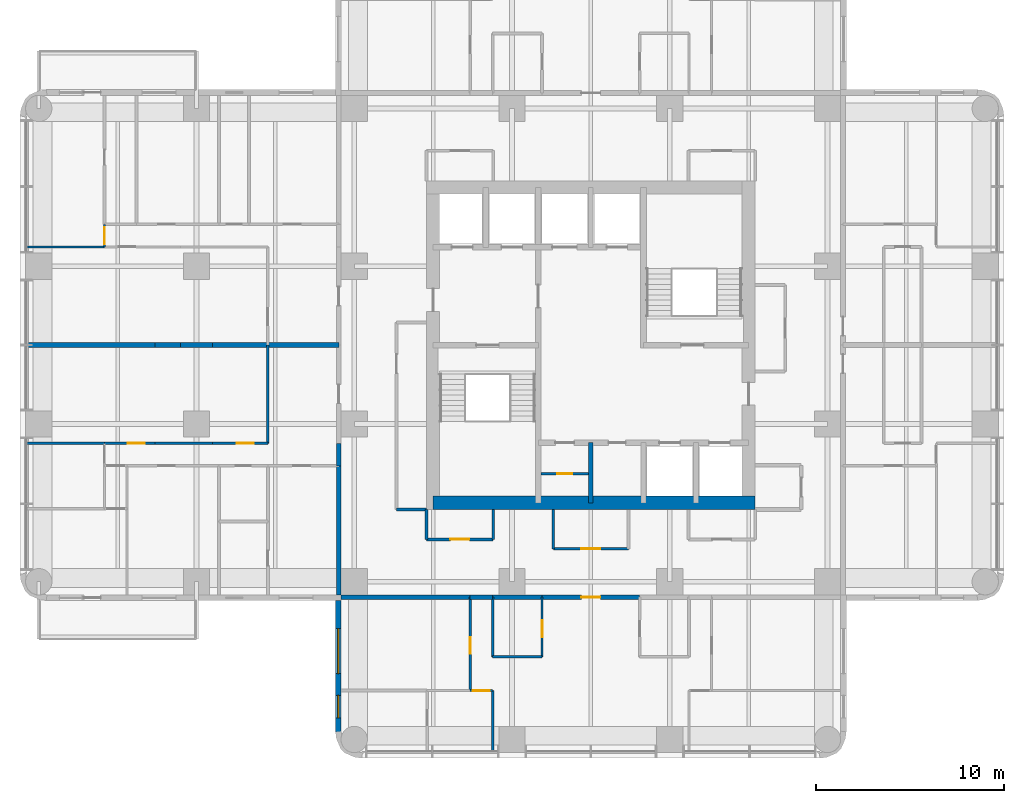
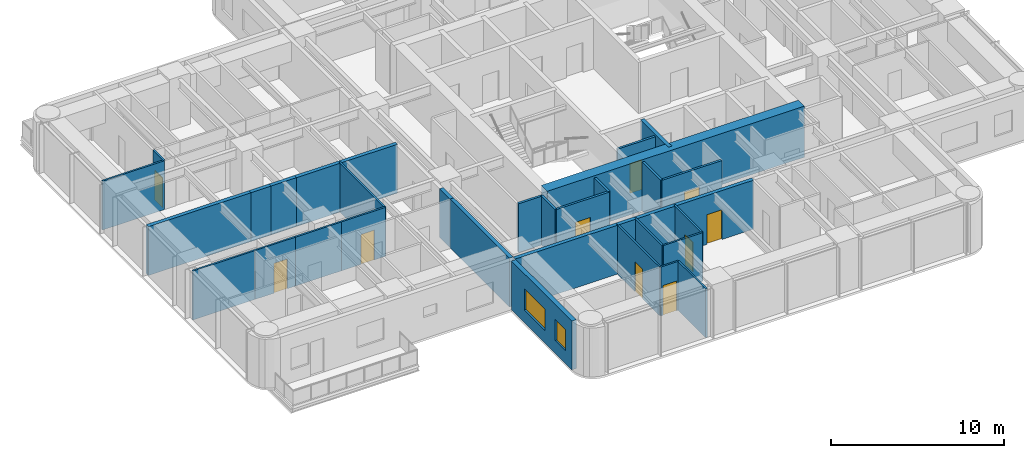
# One storey, part 5 of 11: 34 walls, 10 doors, 2 windows, 12 openings.
"""IFC4 building model written with IfcOpenShell, lengths in metres."""

from ifc_helpers import new_model, si_unit, direction, frame, frame_2d, origin, place, context, subcontext, project, spatial, rectangle, extrude, material, layer, layer_set, type_object, element, fill, save


model = new_model("IFC4")

# Units and contexts
model_context = context("Model", 3, precision=1e-05, world=origin(), true_north=direction((0.0, 1.0)))
body_context = subcontext(model_context, "Body", "Model", "MODEL_VIEW")
ifc_project = project(units=[si_unit("LENGTHUNIT", "METRE"), si_unit("AREAUNIT", "SQUARE_METRE"), si_unit("VOLUMEUNIT", "CUBIC_METRE"), si_unit("PLANEANGLEUNIT", "RADIAN"), si_unit("MASSUNIT", "GRAM", prefix="KILO")], contexts=[model_context])

# Site, building, storey
site_placement = place(None, origin())
site = spatial("IfcSite", under=ifc_project, at=site_placement, CompositionType="ELEMENT")
building_placement = place(site_placement, origin())
building = spatial("IfcBuilding", under=site, at=building_placement, Name="Torre Alcanfor", CompositionType="ELEMENT")
storey_placement = place(building_placement, frame((0.0, 0.0, 190.5)))
storey = spatial("IfcBuildingStorey", under=building, at=storey_placement, Name="L49", CompositionType="ELEMENT", Elevation=190.5)

# Wall, opening, door
ifc_material_1 = material(Name="Concrete block masonry, hollow blocks NMX-C-404 9 MPa", Category="masonry")
ifc_layer_1 = layer(ifc_material_1, 0.25)
ifc_layer_set_1 = layer_set([ifc_layer_1], Name="Apartment entrance wall 250 EI 60")
wall_type_1 = type_object("IfcWallType", Name="Apartment entrance wall 250 EI 60", PredefinedType="PARTITIONING", material=ifc_layer_set_1)
wall_1_placement = place(storey_placement, frame((32.0, 15.97509765625, 0.0), z_axis=(0.0, 0.0, 1.0), x_axis=(-1.0, 0.0, 0.0)))
wall_1 = element("IfcWall", 1, at=wall_1_placement, inside=storey, type_object=wall_type_1, Name="Partition L49-CORR / L49-SX-ZAG", PredefinedType="PARTITIONING", context=body_context, shape_type="SweptSolid", body=[
    extrude(rectangle(XDim=5.199951171875, YDim=0.25, at=frame_2d((2.60009765625, 0.0))), origin(), (0.0, 0.0, 1.0), 3.449951171875),
])
opening_1_placement = place(wall_1_placement, frame((2.10009765625, 0.0, 0.0)))
opening_1 = element("IfcOpeningElement", 2, at=opening_1_placement, cuts=wall_1, Name="Opening D-A1", PredefinedType="OPENING", context=body_context, shape_type="SweptSolid", body=[
    extrude(rectangle(XDim=1.0, YDim=2.10009765625, at=frame_2d((0.5, 1.050048828125))), frame((0.0, 0.135009765625, 0.0), z_axis=(0.0, -1.0, 0.0), x_axis=(1.0, 0.0, 0.0)), (0.0, 0.0, 1.0), 0.27001953125),
])
ifc_material_2 = material(Name="Galvanised steel sheet ASTM A653", Category="steel")
door_type_1 = type_object("IfcDoorType", Name="Apartment entrance door FD60 1000x2100", OperationType="SINGLE_SWING_LEFT", PredefinedType="DOOR", material=ifc_material_2)
door_1_placement = place(opening_1_placement, origin())
door_1 = element("IfcDoor", 3, at=door_1_placement, inside=storey, type_object=door_type_1, Name="Apartment entrance L49-SX", OperationType="SINGLE_SWING_LEFT", OverallHeight=2.10009765625, OverallWidth=1.0, PredefinedType="DOOR", context=body_context, shape_type="SweptSolid", body=[
    extrude(rectangle(XDim=1.0, YDim=2.10009765625, at=frame_2d((0.5, 1.050048828125))), frame((0.0, 0.02490234375, 0.0), z_axis=(0.0, -1.0, 0.0), x_axis=(1.0, 0.0, 0.0)), (0.0, 0.0, 1.0), 0.050048828125),
])
fill(opening_1, door_1)

# Walls
wall_2_placement = place(storey_placement, frame((26.800048828125, 15.97509765625, 0.0), z_axis=(0.0, 0.0, 1.0), x_axis=(-1.0, 0.0, 0.0)))
element("IfcWall", 4, at=wall_2_placement, inside=storey, type_object=wall_type_1, Name="Partition L49-CORR / L49-SX-KITCHEN", PredefinedType="PARTITIONING", context=body_context, shape_type="SweptSolid", body=[
    extrude(rectangle(XDim=2.629150390625, YDim=0.25, at=frame_2d((1.314453125, 0.0))), origin(), (0.0, 0.0, 1.0), 3.449951171875),
])
wall_3_placement = place(storey_placement, frame((24.1708984375, 15.97509765625, 0.0), z_axis=(0.0, 0.0, 1.0), x_axis=(-1.0, 0.0, 0.0)))
element("IfcWall", 5, at=wall_3_placement, inside=storey, type_object=wall_type_1, Name="Partition L49-CORR / L49-SX-LIVING", PredefinedType="PARTITIONING", context=body_context, shape_type="SweptSolid", body=[
    extrude(rectangle(XDim=1.199951171875, YDim=0.25, at=frame_2d((0.60009765625, 0.0))), origin(), (0.0, 0.0, 1.0), 3.449951171875),
])
wall_4_placement = place(storey_placement, frame((22.970947265625, 15.97509765625, 0.0), z_axis=(0.0, 0.0, 1.0), x_axis=(-1.0, 0.0, 0.0)))
element("IfcWall", 6, at=wall_4_placement, inside=storey, type_object=wall_type_1, Name="Partition L49-CORR / L49-SX-BED3", PredefinedType="PARTITIONING", context=body_context, shape_type="SweptSolid", body=[
    extrude(rectangle(XDim=6.870849609375, YDim=0.25, at=frame_2d((3.435546875, 0.0))), origin(), (0.0, 0.0, 1.0), 3.449951171875),
])
wall_5_placement = place(storey_placement, frame((15.97509765625, 22.970947265625, 0.0), z_axis=(0.0, 0.0, 1.0), x_axis=(0.0, 1.0, 0.0)))
element("IfcWall", 7, at=wall_5_placement, inside=storey, type_object=wall_type_1, Name="Partition L49-CORR / L49-W1-HALL", PredefinedType="PARTITIONING", context=body_context, shape_type="SweptSolid", body=[
    extrude(rectangle(XDim=1.199951171875, YDim=0.25, at=frame_2d((0.60009765625, 0.0))), origin(), (0.0, 0.0, 1.0), 3.449951171875),
])
wall_6_placement = place(storey_placement, frame((15.97509765625, 16.10009765625, 0.0), z_axis=(0.0, 0.0, 1.0), x_axis=(0.0, 1.0, 0.0)))
element("IfcWall", 8, at=wall_6_placement, inside=storey, type_object=wall_type_1, Name="Partition L49-CORR / L49-W1-SERV", PredefinedType="PARTITIONING", context=body_context, shape_type="SweptSolid", body=[
    extrude(rectangle(XDim=6.870849609375, YDim=0.25, at=frame_2d((3.435546875, 0.0))), origin(), (0.0, 0.0, 1.0), 3.449951171875),
])

# Wall, opening, door
ifc_material_3 = material(Name="Gypsum board on steel studs", Category="steel")
ifc_layer_2 = layer(ifc_material_3, 0.1201171875)
ifc_layer_set_2 = layer_set([ifc_layer_2], Name="Apartment partition 120")
wall_type_2 = type_object("IfcWallType", Name="Apartment partition 120", PredefinedType="PARTITIONING", material=ifc_layer_set_2)
wall_7_placement = place(storey_placement, frame((26.800048828125, 15.97509765625, 0.0), z_axis=(0.0, 0.0, 1.0), x_axis=(0.0, -1.0, 0.0)))
wall_7 = element("IfcWall", 9, at=wall_7_placement, inside=storey, type_object=wall_type_2, Name="Partition L49-SX-ZAG / L49-SX-KITCHEN", PredefinedType="PARTITIONING", context=body_context, shape_type="SweptSolid", body=[
    extrude(rectangle(XDim=3.175048828125, YDim=0.1201171875, at=frame_2d((1.58740234375, 0.0))), origin(), (0.0, 0.0, 1.0), 3.449951171875),
])
opening_2_placement = place(wall_7_placement, frame((1.22509765625, 0.0, 0.0)))
opening_2 = element("IfcOpeningElement", 10, at=opening_2_placement, cuts=wall_7, Name="Opening D-R1", PredefinedType="OPENING", context=body_context, shape_type="SweptSolid", body=[
    extrude(rectangle(XDim=0.89990234375, YDim=2.10009765625, at=frame_2d((0.449951171875, 1.050048828125))), frame((0.0, 0.070068359375, 0.0), z_axis=(0.0, -1.0, 0.0), x_axis=(1.0, 0.0, 0.0)), (0.0, 0.0, 1.0), 0.14013671875),
])
ifc_material_4 = material(Name="Timber", Category="wood")
door_type_2 = type_object("IfcDoorType", Name="Internal door 900x2100", OperationType="SINGLE_SWING_LEFT", PredefinedType="DOOR", material=ifc_material_4)
door_2_placement = place(opening_2_placement, frame((0.89990234375, 0.0, 0.0), z_axis=(0.0, 0.0, 1.0), x_axis=(-1.0, 0.0, 0.0)))
door_2 = element("IfcDoor", 11, at=door_2_placement, inside=storey, type_object=door_type_2, Name="Door L49-SX kitchen", OperationType="SINGLE_SWING_LEFT", OverallHeight=2.10009765625, OverallWidth=0.89990234375, PredefinedType="DOOR", context=body_context, shape_type="SweptSolid", body=[
    extrude(rectangle(XDim=0.89990234375, YDim=2.10009765625, at=frame_2d((0.449951171875, 1.050048828125))), frame((0.0, 0.025146484375, 0.0), z_axis=(0.0, -1.0, 0.0), x_axis=(1.0, 0.0, 0.0)), (0.0, 0.0, 1.0), 0.050048828125),
])
fill(opening_2, door_2)

# Walls
wall_8_placement = place(storey_placement, frame((24.1708984375, 15.97509765625, 0.0), z_axis=(0.0, 0.0, 1.0), x_axis=(0.0, -1.0, 0.0)))
element("IfcWall", 12, at=wall_8_placement, inside=storey, type_object=wall_type_2, Name="Partition L49-SX-KITCHEN / L49-SX-LIVING", PredefinedType="PARTITIONING", context=body_context, shape_type="SweptSolid", body=[
    extrude(rectangle(XDim=3.175048828125, YDim=0.1201171875, at=frame_2d((1.58740234375, 0.0))), origin(), (0.0, 0.0, 1.0), 3.449951171875),
])
wall_9_placement = place(storey_placement, frame((24.1708984375, 12.800048828125, 0.0), z_axis=(0.0, 0.0, 1.0), x_axis=(1.0, 0.0, 0.0)))
element("IfcWall", 13, at=wall_9_placement, inside=storey, type_object=wall_type_2, Name="Partition L49-SX-KITCHEN / L49-SX-LIVING", PredefinedType="PARTITIONING", context=body_context, shape_type="SweptSolid", body=[
    extrude(rectangle(XDim=2.629150390625, YDim=0.1201171875, at=frame_2d((1.314453125, 0.0))), origin(), (0.0, 0.0, 1.0), 3.449951171875),
])

# Wall, opening, door
wall_10_placement = place(storey_placement, frame((22.970947265625, 11.0, 0.0), z_axis=(0.0, 0.0, 1.0), x_axis=(0.0, 1.0, 0.0)))
wall_10 = element("IfcWall", 14, at=wall_10_placement, inside=storey, type_object=wall_type_2, Name="Partition L49-SX-LIVING / L49-SX-BED3", PredefinedType="PARTITIONING", context=body_context, shape_type="SweptSolid", body=[
    extrude(rectangle(XDim=4.97509765625, YDim=0.1201171875, at=frame_2d((2.487548828125, 0.0))), origin(), (0.0, 0.0, 1.0), 3.449951171875),
])
opening_3_placement = place(wall_10_placement, frame((1.949951171875, 0.0, 0.0)))
opening_3 = element("IfcOpeningElement", 15, at=opening_3_placement, cuts=wall_10, Name="Opening D-R1", PredefinedType="OPENING", context=body_context, shape_type="SweptSolid", body=[
    extrude(rectangle(XDim=0.89990234375, YDim=2.10009765625, at=frame_2d((0.449951171875, 1.050048828125))), frame((0.0, 0.070068359375, 0.0), z_axis=(0.0, -1.0, 0.0), x_axis=(1.0, 0.0, 0.0)), (0.0, 0.0, 1.0), 0.14013671875),
])
door_3_placement = place(opening_3_placement, origin())
door_3 = element("IfcDoor", 16, at=door_3_placement, inside=storey, type_object=door_type_2, Name="Door L49-SX bed3", OperationType="SINGLE_SWING_LEFT", OverallHeight=2.10009765625, OverallWidth=0.89990234375, PredefinedType="DOOR", context=body_context, shape_type="SweptSolid", body=[
    extrude(rectangle(XDim=0.89990234375, YDim=2.10009765625, at=frame_2d((0.449951171875, 1.050048828125))), frame((0.0, 0.02490234375, 0.0), z_axis=(0.0, -1.0, 0.0), x_axis=(1.0, 0.0, 0.0)), (0.0, 0.0, 1.0), 0.050048828125),
])
fill(opening_3, door_3)

# Wall
wall_11_placement = place(storey_placement, frame((24.1708984375, 7.75, 0.0), z_axis=(0.0, 0.0, 1.0), x_axis=(0.0, 1.0, 0.0)))
element("IfcWall", 17, at=wall_11_placement, inside=storey, type_object=wall_type_2, Name="Partition L49-SX-LIVING / L49-SX-BED1", PredefinedType="PARTITIONING", context=body_context, shape_type="SweptSolid", body=[
    extrude(rectangle(XDim=3.25, YDim=0.1201171875, at=frame_2d((1.625, 0.0))), origin(), (0.0, 0.0, 1.0), 3.449951171875),
])

# Wall, opening, door
wall_12_placement = place(storey_placement, frame((24.1708984375, 11.0, 0.0), z_axis=(0.0, 0.0, 1.0), x_axis=(-1.0, 0.0, 0.0)))
wall_12 = element("IfcWall", 18, at=wall_12_placement, inside=storey, type_object=wall_type_2, Name="Partition L49-SX-LIVING / L49-SX-BED1", PredefinedType="PARTITIONING", context=body_context, shape_type="SweptSolid", body=[
    extrude(rectangle(XDim=1.199951171875, YDim=0.1201171875, at=frame_2d((0.60009765625, 0.0))), origin(), (0.0, 0.0, 1.0), 3.449951171875),
])
opening_4_placement = place(wall_12_placement, frame((0.15087890625, 0.0, 0.0)))
opening_4 = element("IfcOpeningElement", 19, at=opening_4_placement, cuts=wall_12, Name="Opening D-R1", PredefinedType="OPENING", context=body_context, shape_type="SweptSolid", body=[
    extrude(rectangle(XDim=0.89990234375, YDim=2.10009765625, at=frame_2d((0.449951171875, 1.050048828125))), frame((0.0, 0.070068359375, 0.0), z_axis=(0.0, -1.0, 0.0), x_axis=(1.0, 0.0, 0.0)), (0.0, 0.0, 1.0), 0.14013671875),
])
door_4_placement = place(opening_4_placement, origin())
door_4 = element("IfcDoor", 20, at=door_4_placement, inside=storey, type_object=door_type_2, Name="Door L49-SX bed1", OperationType="SINGLE_SWING_LEFT", OverallHeight=2.10009765625, OverallWidth=0.89990234375, PredefinedType="DOOR", context=body_context, shape_type="SweptSolid", body=[
    extrude(rectangle(XDim=0.89990234375, YDim=2.10009765625, at=frame_2d((0.449951171875, 1.050048828125))), frame((0.0, 0.02490234375, 0.0), z_axis=(0.0, -1.0, 0.0), x_axis=(1.0, 0.0, 0.0)), (0.0, 0.0, 1.0), 0.050048828125),
])
fill(opening_4, door_4)

# Wall
wall_13_placement = place(storey_placement, frame((12.199951171875, 29.39990234375, 0.0), z_axis=(0.0, 0.0, 1.0), x_axis=(0.0, -1.0, 0.0)))
element("IfcWall", 21, at=wall_13_placement, inside=storey, type_object=wall_type_2, Name="Partition L49-W1-ZAG / L49-W1-LAUND", PredefinedType="PARTITIONING", context=body_context, shape_type="SweptSolid", body=[
    extrude(rectangle(XDim=5.22900390625, YDim=0.1201171875, at=frame_2d((2.614501953125, 0.0))), origin(), (0.0, 0.0, 1.0), 3.449951171875),
])

# Wall, opening, door
wall_14_placement = place(storey_placement, frame((9.25, 24.1708984375, 0.0), z_axis=(0.0, 0.0, 1.0), x_axis=(1.0, 0.0, 0.0)))
wall_14 = element("IfcWall", 22, at=wall_14_placement, inside=storey, type_object=wall_type_2, Name="Partition L49-W1-LAUND / L49-W1-HALL", PredefinedType="PARTITIONING", context=body_context, shape_type="SweptSolid", body=[
    extrude(rectangle(XDim=2.949951171875, YDim=0.1201171875, at=frame_2d((1.47509765625, 0.0))), origin(), (0.0, 0.0, 1.0), 3.449951171875),
])
opening_5_placement = place(wall_14_placement, frame((1.300048828125, 0.0, 0.0)))
opening_5 = element("IfcOpeningElement", 23, at=opening_5_placement, cuts=wall_14, Name="Opening D-R1", PredefinedType="OPENING", context=body_context, shape_type="SweptSolid", body=[
    extrude(rectangle(XDim=0.89990234375, YDim=2.10009765625, at=frame_2d((0.449951171875, 1.050048828125))), frame((0.0, 0.070068359375, 0.0), z_axis=(0.0, -1.0, 0.0), x_axis=(1.0, 0.0, 0.0)), (0.0, 0.0, 1.0), 0.14013671875),
])
door_5_placement = place(opening_5_placement, origin())
door_5 = element("IfcDoor", 24, at=door_5_placement, inside=storey, type_object=door_type_2, Name="Door L49-W1 laund", OperationType="SINGLE_SWING_RIGHT", OverallHeight=2.10009765625, OverallWidth=0.89990234375, PredefinedType="DOOR", context=body_context, shape_type="SweptSolid", body=[
    extrude(rectangle(XDim=0.89990234375, YDim=2.10009765625, at=frame_2d((0.449951171875, 1.050048828125))), frame((0.0, 0.02490234375, 0.0), z_axis=(0.0, -1.0, 0.0), x_axis=(1.0, 0.0, 0.0)), (0.0, 0.0, 1.0), 0.050048828125),
])
fill(opening_5, door_5)

# Wall
wall_15_placement = place(storey_placement, frame((6.199951171875, 24.1708984375, 0.0), z_axis=(0.0, 0.0, 1.0), x_axis=(1.0, 0.0, 0.0)))
element("IfcWall", 25, at=wall_15_placement, inside=storey, type_object=wall_type_2, Name="Partition L49-W1-KITCHEN / L49-W1-HALL", PredefinedType="PARTITIONING", context=body_context, shape_type="SweptSolid", body=[
    extrude(rectangle(XDim=3.050048828125, YDim=0.1201171875, at=frame_2d((1.52490234375, 0.0))), origin(), (0.0, 0.0, 1.0), 3.449951171875),
])

# Wall, opening, door
wall_16_placement = place(storey_placement, frame((3.5, 24.1708984375, 0.0), z_axis=(0.0, 0.0, 1.0), x_axis=(1.0, 0.0, 0.0)))
wall_16 = element("IfcWall", 26, at=wall_16_placement, inside=storey, type_object=wall_type_2, Name="Partition L49-W1-LIVING / L49-W1-HALL", PredefinedType="PARTITIONING", context=body_context, shape_type="SweptSolid", body=[
    extrude(rectangle(XDim=2.699951171875, YDim=0.1201171875, at=frame_2d((1.35009765625, 0.0))), origin(), (0.0, 0.0, 1.0), 3.449951171875),
])
opening_6_placement = place(wall_16_placement, frame((1.25, 0.0, 0.0)))
opening_6 = element("IfcOpeningElement", 27, at=opening_6_placement, cuts=wall_16, Name="Opening D-R1", PredefinedType="OPENING", context=body_context, shape_type="SweptSolid", body=[
    extrude(rectangle(XDim=0.89990234375, YDim=2.10009765625, at=frame_2d((0.449951171875, 1.050048828125))), frame((0.0, 0.070068359375, 0.0), z_axis=(0.0, -1.0, 0.0), x_axis=(1.0, 0.0, 0.0)), (0.0, 0.0, 1.0), 0.14013671875),
])
door_6_placement = place(opening_6_placement, origin())
door_6 = element("IfcDoor", 28, at=door_6_placement, inside=storey, type_object=door_type_2, Name="Door L49-W1 living", OperationType="SINGLE_SWING_RIGHT", OverallHeight=2.10009765625, OverallWidth=0.89990234375, PredefinedType="DOOR", context=body_context, shape_type="SweptSolid", body=[
    extrude(rectangle(XDim=0.89990234375, YDim=2.10009765625, at=frame_2d((0.449951171875, 1.050048828125))), frame((0.0, 0.02490234375, 0.0), z_axis=(0.0, -1.0, 0.0), x_axis=(1.0, 0.0, 0.0)), (0.0, 0.0, 1.0), 0.050048828125),
])
fill(opening_6, door_6)

# Walls
for number, where, z_axis, x_axis, name in (
    (29, (-0.64990234375, 24.1708984375, 0.0), (0.0, 0.0, 1.0), (1.0, 0.0, 0.0), "Partition L49-W1-LIVING / L49-W1-BED2"),
    (30, (-0.64990234375, 34.62890625, 0.0), (0.0, 0.0, 1.0), (1.0, 0.0, 0.0), "Partition L49-W2-LIVING / L49-W2-MASTER"),
):
    element("IfcWall", number, at=place(storey_placement, frame(where, z_axis=z_axis, x_axis=x_axis)), inside=storey, type_object=wall_type_2, Name=name, PredefinedType="PARTITIONING", context=body_context, shape_type="SweptSolid", body=[
        extrude(rectangle(XDim=4.14990234375, YDim=0.1201171875, at=frame_2d((2.074951171875, 0.0))), origin(), (0.0, 0.0, 1.0), 3.449951171875),
    ])

# Wall, opening, door
wall_17_placement = place(storey_placement, frame((3.5, 34.62890625, 0.0), z_axis=(0.0, 0.0, 1.0), x_axis=(0.0, 1.0, 0.0)))
wall_17 = element("IfcWall", 31, at=wall_17_placement, inside=storey, type_object=wall_type_2, Name="Partition L49-W2-HALL / L49-W2-MASTER", PredefinedType="PARTITIONING", context=body_context, shape_type="SweptSolid", body=[
    extrude(rectangle(XDim=1.2001953125, YDim=0.1201171875, at=frame_2d((0.60009765625, 0.0))), origin(), (0.0, 0.0, 1.0), 3.449951171875),
])
opening_7_placement = place(wall_17_placement, frame((0.15087890625, 0.0, 0.0)))
opening_7 = element("IfcOpeningElement", 32, at=opening_7_placement, cuts=wall_17, Name="Opening D-R1", PredefinedType="OPENING", context=body_context, shape_type="SweptSolid", body=[
    extrude(rectangle(XDim=0.89990234375, YDim=2.10009765625, at=frame_2d((0.449951171875, 1.050048828125))), frame((0.0, 0.070068359375, 0.0), z_axis=(0.0, -1.0, 0.0), x_axis=(1.0, 0.0, 0.0)), (0.0, 0.0, 1.0), 0.14013671875),
])
door_7_placement = place(opening_7_placement, origin())
door_7 = element("IfcDoor", 33, at=door_7_placement, inside=storey, type_object=door_type_2, Name="Door L49-W2 master", OperationType="SINGLE_SWING_LEFT", OverallHeight=2.10009765625, OverallWidth=0.89990234375, PredefinedType="DOOR", context=body_context, shape_type="SweptSolid", body=[
    extrude(rectangle(XDim=0.89990234375, YDim=2.10009765625, at=frame_2d((0.449951171875, 1.050048828125))), frame((0.0, 0.02490234375, 0.0), z_axis=(0.0, -1.0, 0.0), x_axis=(1.0, 0.0, 0.0)), (0.0, 0.0, 1.0), 0.050048828125),
])
fill(opening_7, door_7)

# Walls
ifc_material_5 = material(Name="Concrete f'c 70 MPa", Category="concrete")
ifc_layer_3 = layer(ifc_material_5, 0.25)
ifc_layer_set_3 = layer_set([ifc_layer_3], Name="Core shaft wall 250 f'c70")
wall_type_3 = type_object("IfcWallType", Name="Core shaft wall 250 f'c70", PredefinedType="SHEAR", material=ifc_layer_set_3)
wall_18_placement = place(storey_placement, frame((29.39990234375, 21.0, 0.0), z_axis=(0.0, 0.0, 1.0), x_axis=(0.0, 1.0, 0.0)))
element("IfcWall", 34, at=wall_18_placement, inside=storey, type_object=wall_type_3, Name="Core wall X294S L49", PredefinedType="SHEAR", context=body_context, shape_type="SweptSolid", body=[
    extrude(rectangle(XDim=3.199951171875, YDim=0.25, at=frame_2d((1.60009765625, 0.0))), origin(), (0.0, 0.0, 1.0), 3.60009765625),
])
ifc_material_6 = material(Name="Concrete f'c 70 MPa", Category="concrete")
ifc_layer_4 = layer(ifc_material_6, 0.699951171875)
ifc_layer_set_4 = layer_set([ifc_layer_4], Name="Core wall 700 f'c70")
wall_type_4 = type_object("IfcWallType", Name="Core wall 700 f'c70", PredefinedType="SHEAR", material=ifc_layer_set_4)
wall_19_placement = place(storey_placement, frame((21.0, 21.0, 0.0), z_axis=(0.0, 0.0, 1.0), x_axis=(1.0, 0.0, 0.0)))
element("IfcWall", 35, at=wall_19_placement, inside=storey, type_object=wall_type_4, Name="Core wall OUT-S L49", PredefinedType="SHEAR", context=body_context, shape_type="SweptSolid", body=[
    extrude(rectangle(XDim=17.14990234375, YDim=0.699951171875, at=frame_2d((8.574951171875, 0.0))), origin(), (0.0, 0.0, 1.0), 3.60009765625),
])

# Wall, openings, windows
ifc_material_7 = material(Name="Limestone cladding", Category="masonry")
ifc_layer_5 = layer(ifc_material_7, 0.0400390625, Name="Facing")
ifc_material_8 = material(Name="Ventilated air cavity")
ifc_layer_6 = layer(ifc_material_8, 0.02001953125, ventilated=True, Name="Ventilated joint")
ifc_material_9 = material(Name="Mineral wool insulation", Category="insulation")
ifc_layer_7 = layer(ifc_material_9, 0.10009765625, Name="Insulation")
ifc_material_10 = material(Name="Concrete f'c 35 MPa", Category="concrete")
ifc_layer_8 = layer(ifc_material_10, 0.139892578125, Name="Backing")
ifc_layer_set_5 = layer_set([ifc_layer_5, ifc_layer_6, ifc_layer_7, ifc_layer_8], Name="External wall stone-clad 300")
wall_type_5 = type_object("IfcWallType", Name="External wall stone-clad 300", PredefinedType="SOLIDWALL", material=ifc_layer_set_5)
wall_20_placement = place(storey_placement, frame((15.949951171875, 15.800048828125, 0.0), z_axis=(0.0, 0.0, 1.0), x_axis=(0.0, -1.0, 0.0)))
wall_20 = element("IfcWall", 36, at=wall_20_placement, inside=storey, type_object=wall_type_5, Name="External wall L49 4", PredefinedType="SOLIDWALL", context=body_context, shape_type="SweptSolid", body=[
    extrude(rectangle(XDim=7.0, YDim=0.300048828125, at=frame_2d((3.5, 0.0))), origin(), (0.0, 0.0, 1.0), 3.449951171875),
])
opening_8_placement = place(wall_20_placement, frame((1.5, 0.0, 0.89990234375)))
opening_8 = element("IfcOpeningElement", 37, at=opening_8_placement, cuts=wall_20, Name="Opening W1", PredefinedType="OPENING", context=body_context, shape_type="SweptSolid", body=[
    extrude(rectangle(XDim=2.39990234375, YDim=1.5, at=frame_2d((1.199951171875, 0.75))), frame((0.0, 0.159912109375, 0.0), z_axis=(0.0, -1.0, 0.0), x_axis=(1.0, 0.0, 0.0)), (0.0, 0.0, 1.0), 0.320068359375),
])
opening_9_placement = place(wall_20_placement, frame((5.050048828125, 0.0, 0.89990234375)))
opening_9 = element("IfcOpeningElement", 38, at=opening_9_placement, cuts=wall_20, Name="Opening W4", PredefinedType="OPENING", context=body_context, shape_type="SweptSolid", body=[
    extrude(rectangle(XDim=1.199951171875, YDim=1.5, at=frame_2d((0.60009765625, 0.75))), frame((0.0, 0.159912109375, 0.0), z_axis=(0.0, -1.0, 0.0), x_axis=(1.0, 0.0, 0.0)), (0.0, 0.0, 1.0), 0.320068359375),
])
ifc_material_11 = material(Name="Aluminium frame with clear double glazing", Category="aluminium")
window_type_1 = type_object("IfcWindowType", Name="Window bedroom 1200x1500", PartitioningType="SINGLE_PANEL", PredefinedType="WINDOW", material=ifc_material_11)
window_1_placement = place(opening_9_placement, origin())
window_1 = element("IfcWindow", 39, at=window_1_placement, inside=storey, type_object=window_type_1, Name="Window W4 L49-S2", OverallHeight=1.5, OverallWidth=1.199951171875, PartitioningType="SINGLE_PANEL", PredefinedType="WINDOW", context=body_context, shape_type="SweptSolid", body=[
    extrude(rectangle(XDim=1.199951171875, YDim=1.5, at=frame_2d((0.60009765625, 0.75))), frame((0.0, 0.030029296875, 0.0), z_axis=(0.0, -1.0, 0.0), x_axis=(1.0, 0.0, 0.0)), (0.0, 0.0, 1.0), 0.06005859375),
])
fill(opening_9, window_1)
ifc_material_12 = material(Name="Aluminium frame with clear double glazing", Category="aluminium")
window_type_2 = type_object("IfcWindowType", Name="Window bedroom 2400x1500", PartitioningType="SINGLE_PANEL", PredefinedType="WINDOW", material=ifc_material_12)
window_2_placement = place(opening_8_placement, origin())
window_2 = element("IfcWindow", 40, at=window_2_placement, inside=storey, type_object=window_type_2, Name="Window W1 L49-S2", OverallHeight=1.5, OverallWidth=2.39990234375, PartitioningType="SINGLE_PANEL", PredefinedType="WINDOW", context=body_context, shape_type="SweptSolid", body=[
    extrude(rectangle(XDim=2.39990234375, YDim=1.5, at=frame_2d((1.199951171875, 0.75))), frame((0.0, 0.030029296875, 0.0), z_axis=(0.0, -1.0, 0.0), x_axis=(1.0, 0.0, 0.0)), (0.0, 0.0, 1.0), 0.06005859375),
])
fill(opening_8, window_2)

# Walls
ifc_material_13 = material(Name="Concrete block masonry, hollow blocks NMX-C-404 9 MPa", Category="masonry")
ifc_layer_9 = layer(ifc_material_13, 0.25)
ifc_layer_set_6 = layer_set([ifc_layer_9], Name="Party wall 250 EI 60")
wall_type_6 = type_object("IfcWallType", Name="Party wall 250 EI 60", PredefinedType="PARTITIONING", material=ifc_layer_set_6)
wall_21_placement = place(storey_placement, frame((15.97509765625, 29.39990234375, 0.0), z_axis=(0.0, 0.0, 1.0), x_axis=(-1.0, 0.0, 0.0)))
element("IfcWall", 41, at=wall_21_placement, inside=storey, type_object=wall_type_6, Name="Partition L49-W1-ZAG / L49-W2-ZAG", PredefinedType="PARTITIONING", context=body_context, shape_type="SweptSolid", body=[
    extrude(rectangle(XDim=3.775146484375, YDim=0.25, at=frame_2d((1.8876953125, 0.0))), origin(), (0.0, 0.0, 1.0), 3.449951171875),
])
wall_22_placement = place(storey_placement, frame((12.199951171875, 29.39990234375, 0.0), z_axis=(0.0, 0.0, 1.0), x_axis=(-1.0, 0.0, 0.0)))
element("IfcWall", 42, at=wall_22_placement, inside=storey, type_object=wall_type_6, Name="Partition L49-W1-LAUND / L49-W2-KITCHEN", PredefinedType="PARTITIONING", context=body_context, shape_type="SweptSolid", body=[
    extrude(rectangle(XDim=2.949951171875, YDim=0.25, at=frame_2d((1.47509765625, 0.0))), origin(), (0.0, 0.0, 1.0), 3.449951171875),
])
wall_23_placement = place(storey_placement, frame((9.25, 29.39990234375, 0.0), z_axis=(0.0, 0.0, 1.0), x_axis=(-1.0, 0.0, 0.0)))
element("IfcWall", 43, at=wall_23_placement, inside=storey, type_object=wall_type_6, Name="Partition L49-W1-KITCHEN / L49-W2-KITCHEN", PredefinedType="PARTITIONING", context=body_context, shape_type="SweptSolid", body=[
    extrude(rectangle(XDim=1.699951171875, YDim=0.25, at=frame_2d((0.85009765625, 0.0))), origin(), (0.0, 0.0, 1.0), 3.449951171875),
])
wall_24_placement = place(storey_placement, frame((7.550048828125, 29.39990234375, 0.0), z_axis=(0.0, 0.0, 1.0), x_axis=(-1.0, 0.0, 0.0)))
element("IfcWall", 44, at=wall_24_placement, inside=storey, type_object=wall_type_6, Name="Partition L49-W1-KITCHEN / L49-W2-LIVING", PredefinedType="PARTITIONING", context=body_context, shape_type="SweptSolid", body=[
    extrude(rectangle(XDim=1.35009765625, YDim=0.25, at=frame_2d((0.675048828125, 0.0))), origin(), (0.0, 0.0, 1.0), 3.449951171875),
])
wall_25_placement = place(storey_placement, frame((6.199951171875, 29.39990234375, 0.0), z_axis=(0.0, 0.0, 1.0), x_axis=(-1.0, 0.0, 0.0)))
element("IfcWall", 45, at=wall_25_placement, inside=storey, type_object=wall_type_6, Name="Partition L49-W1-LIVING / L49-W2-LIVING", PredefinedType="PARTITIONING", context=body_context, shape_type="SweptSolid", body=[
    extrude(rectangle(XDim=6.849853515625, YDim=0.25, at=frame_2d((3.4248046875, 0.0))), origin(), (0.0, 0.0, 1.0), 3.449951171875),
])
ifc_material_14 = material(Name="Concrete block masonry, hollow blocks NMX-C-404 9 MPa", Category="masonry")
ifc_layer_10 = layer(ifc_material_14, 0.14990234375)
ifc_layer_set_7 = layer_set([ifc_layer_10], Name="Residents' room partition 150")
wall_type_7 = type_object("IfcWallType", Name="Residents' room partition 150", PredefinedType="PARTITIONING", material=ifc_layer_set_7)
wall_26_placement = place(storey_placement, frame((20.64990234375, 20.64990234375, 0.0), z_axis=(0.0, 0.0, 1.0), x_axis=(0.0, -1.0, 0.0)))
element("IfcWall", 46, at=wall_26_placement, inside=storey, type_object=wall_type_7, Name="Partition L49-CORR / L49-G05", PredefinedType="PARTITIONING", context=body_context, shape_type="SweptSolid", body=[
    extrude(rectangle(XDim=1.599853515625, YDim=0.14990234375, at=frame_2d((0.7998046875, 0.0))), origin(), (0.0, 0.0, 1.0), 3.449951171875),
])

# Wall, opening, door
wall_27_placement = place(storey_placement, frame((20.64990234375, 19.050048828125, 0.0), z_axis=(0.0, 0.0, 1.0), x_axis=(1.0, 0.0, 0.0)))
wall_27 = element("IfcWall", 47, at=wall_27_placement, inside=storey, type_object=wall_type_7, Name="Partition L49-CORR / L49-G05", PredefinedType="PARTITIONING", context=body_context, shape_type="SweptSolid", body=[
    extrude(rectangle(XDim=3.550048828125, YDim=0.14990234375, at=frame_2d((1.77490234375, 0.0))), origin(), (0.0, 0.0, 1.0), 3.449951171875),
])
opening_10_placement = place(wall_27_placement, frame((1.27490234375, 0.0, 0.0)))
opening_10 = element("IfcOpeningElement", 48, at=opening_10_placement, cuts=wall_27, Name="Opening D-M1", PredefinedType="OPENING", context=body_context, shape_type="SweptSolid", body=[
    extrude(rectangle(XDim=1.0, YDim=2.10009765625, at=frame_2d((0.5, 1.050048828125))), frame((0.0, 0.0849609375, 0.0), z_axis=(0.0, -1.0, 0.0), x_axis=(1.0, 0.0, 0.0)), (0.0, 0.0, 1.0), 0.169921875),
])
ifc_material_15 = material(Name="Timber", Category="wood")
door_type_3 = type_object("IfcDoorType", Name="Residents' room door 1000x2100", OperationType="SINGLE_SWING_LEFT", PredefinedType="DOOR", material=ifc_material_15)
door_8_placement = place(opening_10_placement, origin())
door_8 = element("IfcDoor", 49, at=door_8_placement, inside=storey, type_object=door_type_3, Name="Door L49-G05 cleaners' store", OperationType="SINGLE_SWING_LEFT", OverallHeight=2.10009765625, OverallWidth=1.0, PredefinedType="DOOR", context=body_context, shape_type="SweptSolid", body=[
    extrude(rectangle(XDim=1.0, YDim=2.10009765625, at=frame_2d((0.5, 1.050048828125))), frame((0.0, 0.02490234375, 0.0), z_axis=(0.0, -1.0, 0.0), x_axis=(1.0, 0.0, 0.0)), (0.0, 0.0, 1.0), 0.050048828125),
])
fill(opening_10, door_8)

# Walls
wall_28_placement = place(storey_placement, frame((24.199951171875, 19.050048828125, 0.0), z_axis=(0.0, 0.0, 1.0), x_axis=(0.0, 1.0, 0.0)))
element("IfcWall", 50, at=wall_28_placement, inside=storey, type_object=wall_type_7, Name="Partition L49-CORR / L49-G05", PredefinedType="PARTITIONING", context=body_context, shape_type="SweptSolid", body=[
    extrude(rectangle(XDim=1.599853515625, YDim=0.14990234375, at=frame_2d((0.7998046875, 0.0))), origin(), (0.0, 0.0, 1.0), 3.449951171875),
])
wall_29_placement = place(storey_placement, frame((27.39990234375, 20.64990234375, 0.0), z_axis=(0.0, 0.0, 1.0), x_axis=(0.0, -1.0, 0.0)))
element("IfcWall", 51, at=wall_29_placement, inside=storey, type_object=wall_type_7, Name="Partition L49-CORR / L49-G06", PredefinedType="PARTITIONING", context=body_context, shape_type="SweptSolid", body=[
    extrude(rectangle(XDim=2.099853515625, YDim=0.14990234375, at=frame_2d((1.0498046875, 0.0))), origin(), (0.0, 0.0, 1.0), 3.449951171875),
])

# Wall, opening, door
wall_30_placement = place(storey_placement, frame((27.39990234375, 18.550048828125, 0.0), z_axis=(0.0, 0.0, 1.0), x_axis=(1.0, 0.0, 0.0)))
wall_30 = element("IfcWall", 52, at=wall_30_placement, inside=storey, type_object=wall_type_7, Name="Partition L49-CORR / L49-G06", PredefinedType="PARTITIONING", context=body_context, shape_type="SweptSolid", body=[
    extrude(rectangle(XDim=4.0, YDim=0.14990234375, at=frame_2d((2.0, 0.0))), origin(), (0.0, 0.0, 1.0), 3.449951171875),
])
opening_11_placement = place(wall_30_placement, frame((1.5, 0.0, 0.0)))
opening_11 = element("IfcOpeningElement", 53, at=opening_11_placement, cuts=wall_30, Name="Opening D-M1", PredefinedType="OPENING", context=body_context, shape_type="SweptSolid", body=[
    extrude(rectangle(XDim=1.0, YDim=2.10009765625, at=frame_2d((0.5, 1.050048828125))), frame((0.0, 0.0849609375, 0.0), z_axis=(0.0, -1.0, 0.0), x_axis=(1.0, 0.0, 0.0)), (0.0, 0.0, 1.0), 0.169921875),
])
door_9_placement = place(opening_11_placement, origin())
door_9 = element("IfcDoor", 54, at=door_9_placement, inside=storey, type_object=door_type_3, Name="Door L49-G06 linen store", OperationType="SINGLE_SWING_LEFT", OverallHeight=2.10009765625, OverallWidth=1.0, PredefinedType="DOOR", context=body_context, shape_type="SweptSolid", body=[
    extrude(rectangle(XDim=1.0, YDim=2.10009765625, at=frame_2d((0.5, 1.050048828125))), frame((0.0, 0.02490234375, 0.0), z_axis=(0.0, -1.0, 0.0), x_axis=(1.0, 0.0, 0.0)), (0.0, 0.0, 1.0), 0.050048828125),
])
fill(opening_11, door_9)

# Wall
wall_31_placement = place(storey_placement, frame((19.050048828125, 20.64990234375, 0.0), z_axis=(0.0, 0.0, 1.0), x_axis=(1.0, 0.0, 0.0)))
element("IfcWall", 55, at=wall_31_placement, inside=storey, type_object=wall_type_7, Name="Partition L49-CORR / L49-G08", PredefinedType="PARTITIONING", context=body_context, shape_type="SweptSolid", body=[
    extrude(rectangle(XDim=1.599853515625, YDim=0.14990234375, at=frame_2d((0.7998046875, 0.0))), origin(), (0.0, 0.0, 1.0), 3.449951171875),
])

# Wall, opening, door
wall_32_placement = place(storey_placement, frame((26.75, 22.550048828125, 0.0), z_axis=(0.0, 0.0, 1.0), x_axis=(1.0, 0.0, 0.0)))
wall_32 = element("IfcWall", 56, at=wall_32_placement, inside=storey, type_object=wall_type_7, Name="Partition L49-PA1R / L49-PA1C", PredefinedType="PARTITIONING", context=body_context, shape_type="SweptSolid", body=[
    extrude(rectangle(XDim=2.52490234375, YDim=0.14990234375, at=frame_2d((1.262451171875, 0.0))), origin(), (0.0, 0.0, 1.0), 3.449951171875),
])
opening_12_placement = place(wall_32_placement, frame((0.862548828125, 0.0, 0.0)))
opening_12 = element("IfcOpeningElement", 57, at=opening_12_placement, cuts=wall_32, Name="Opening D-R2", PredefinedType="OPENING", context=body_context, shape_type="SweptSolid", body=[
    extrude(rectangle(XDim=0.800048828125, YDim=2.10009765625, at=frame_2d((0.39990234375, 1.050048828125))), frame((0.0, 0.0849609375, 0.0), z_axis=(0.0, -1.0, 0.0), x_axis=(1.0, 0.0, 0.0)), (0.0, 0.0, 1.0), 0.169921875),
])
ifc_material_16 = material(Name="Timber", Category="wood")
door_type_4 = type_object("IfcDoorType", Name="Bathroom door 800x2100", OperationType="SINGLE_SWING_LEFT", PredefinedType="DOOR", material=ifc_material_16)
door_10_placement = place(opening_12_placement, frame((0.800048828125, 0.0, 0.0), z_axis=(0.0, 0.0, 1.0), x_axis=(-1.0, 0.0, 0.0)))
door_10 = element("IfcDoor", 58, at=door_10_placement, inside=storey, type_object=door_type_4, Name="Cleaners' cupboard door L49", OperationType="SINGLE_SWING_RIGHT", OverallHeight=2.10009765625, OverallWidth=0.800048828125, PredefinedType="DOOR", context=body_context, shape_type="SweptSolid", body=[
    extrude(rectangle(XDim=0.800048828125, YDim=2.10009765625, at=frame_2d((0.400146484375, 1.050048828125))), frame((0.0, 0.025146484375, 0.0), z_axis=(0.0, -1.0, 0.0), x_axis=(1.0, 0.0, 0.0)), (0.0, 0.0, 1.0), 0.050048828125),
])
fill(opening_12, door_10)

save(model, "model.ifc")
